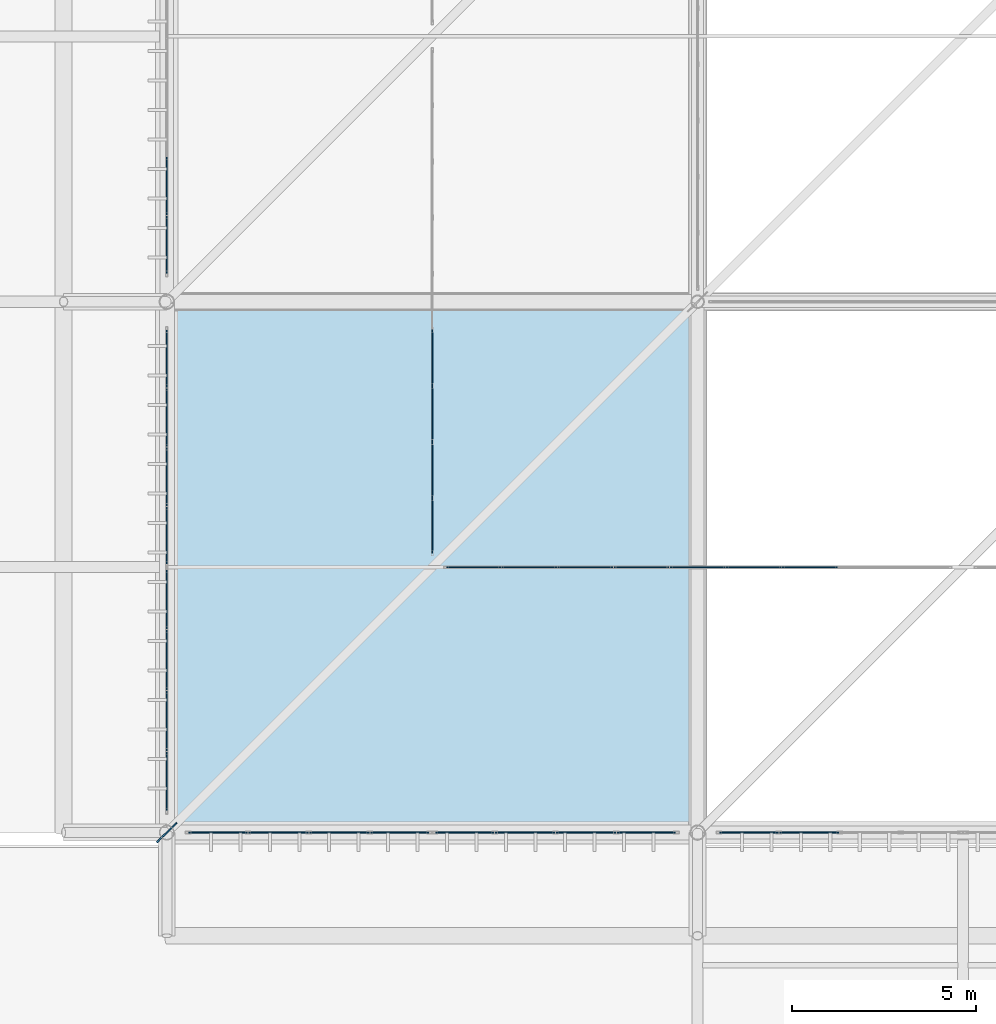
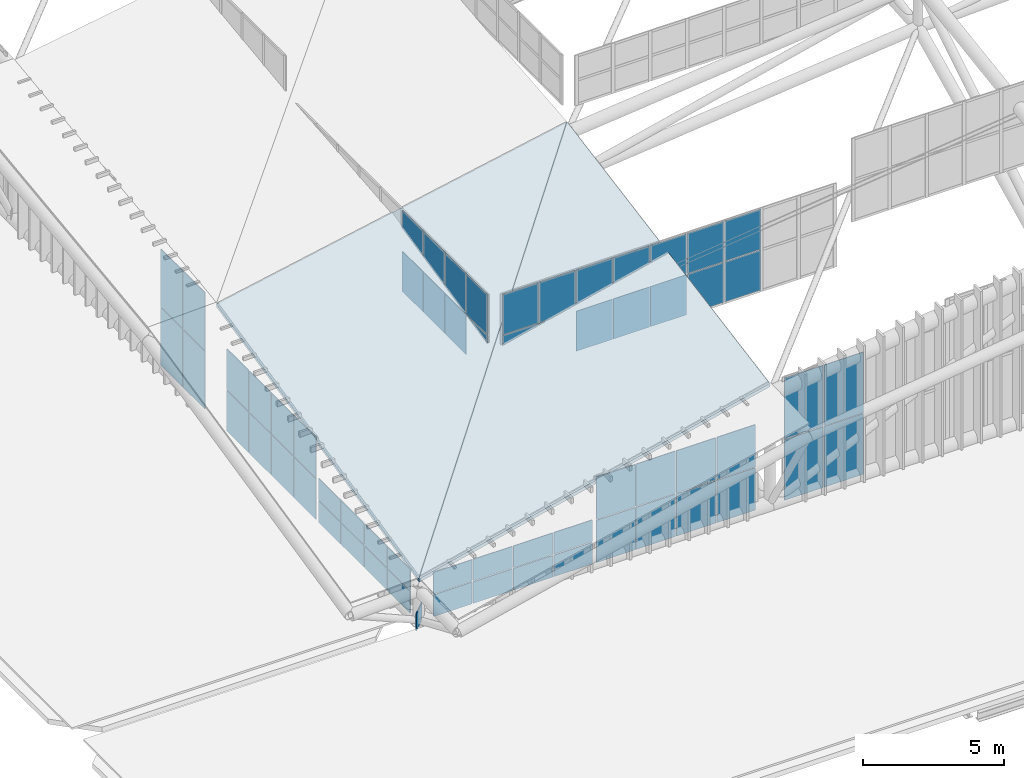
# One storey, part 357 of 397: 63 plates, 2 slabs, 8 elements without a shape of their own.
"""IFC4 building model written with IfcOpenShell, lengths in metres."""

import ifcopenshell
import ifcopenshell.guid

model = None  # the IFC model being written
_history = None  # IfcOwnerHistory: only IFC2X3 demands one
_inside = {}  # id of a spatial element -> (the spatial element, [elements in it])
_under = {}  # id of a project, library or spatial element -> (it, [spatial elements below it])
_declared = {}  # id of a project -> (the project, [libraries it declares])
_typed = {}  # id of a type object -> (the type object, [elements of that type])
_made_of = {}  # id of a material, layer set ... -> (it, [elements and type objects made of it])


def new_model(schema):
    """Start an empty IFC model of exactly this schema.

    Asked for "IFC4X3", IfcOpenShell would pick the latest addendum, in which some entities
    have other attributes; the version numbers below select the first issue.
    IFC2X3 requires an IfcOwnerHistory on every rooted entity: one is made here for all.
    """
    global model, _history
    if schema == "IFC4X3":
        model = ifcopenshell.file(schema_version=(4, 3, 0, 0))
    else:
        model = ifcopenshell.file(schema=schema)
    _inside.clear()
    _under.clear()
    _declared.clear()
    _typed.clear()
    _made_of.clear()
    _history = None
    if model.schema == "IFC2X3":
        org = make("IfcOrganization", Name="unknown")
        user = make(
            "IfcPersonAndOrganization",
            ThePerson=make("IfcPerson", FamilyName="unknown"),
            TheOrganization=org,
        )
        app = make(
            "IfcApplication",
            ApplicationDeveloper=org,
            Version="unknown",
            ApplicationFullName="unknown",
            ApplicationIdentifier="unknown",
        )
        _history = make(
            "IfcOwnerHistory",
            OwningUser=user,
            OwningApplication=app,
            ChangeAction="ADDED",
            CreationDate=0,
        )
    return model


def make(cls, **values):
    """One entity of the class cls with the attributes given. An attribute that is None is left unset."""
    return model.create_entity(
        cls, **{name: value for name, value in values.items() if value is not None}
    )


def rooted(cls, **values):
    """An entity with a GlobalId (a new one), such as an element, a storey or a relation."""
    return make(cls, GlobalId=ifcopenshell.guid.new(), OwnerHistory=_history, **values)


def si_unit(unit_type, name, prefix=None):
    """IfcSIUnit, for example si_unit("LENGTHUNIT", "METRE", prefix="MILLI")."""
    return make("IfcSIUnit", UnitType=unit_type, Prefix=prefix, Name=name)


def assignment(units):
    """IfcUnitAssignment: the units of a project."""
    return None if units is None else make("IfcUnitAssignment", Units=units)


def point(xyz):
    """IfcCartesianPoint."""
    return None if xyz is None else make("IfcCartesianPoint", Coordinates=xyz)


def direction(xyz):
    """IfcDirection."""
    return None if xyz is None else make("IfcDirection", DirectionRatios=xyz)


def frame(location, z_axis=None, x_axis=None):
    """IfcAxis2Placement3D, a coordinate frame: its origin and axes. An axis left out is left unset."""
    return make(
        "IfcAxis2Placement3D",
        Location=point(location),
        Axis=direction(z_axis),
        RefDirection=direction(x_axis),
    )


def frame_2d(location, x_axis=None):
    """IfcAxis2Placement2D, a coordinate frame in the plane: its origin and x axis."""
    return make(
        "IfcAxis2Placement2D", Location=point(location), RefDirection=direction(x_axis)
    )


def origin():
    """The frame at (0, 0, 0) with its axes left unset."""
    return frame((0.0, 0.0, 0.0))


def origin_2d():
    """The frame at (0, 0) in the plane with its x axis left unset."""
    return frame_2d((0.0, 0.0))


def place(relative_to, where):
    """IfcLocalPlacement: puts the frame where relative to a parent placement (None: the world)."""
    return make(
        "IfcLocalPlacement", PlacementRelTo=relative_to, RelativePlacement=where
    )


def context(
    kind, dimensions, precision=None, world=None, true_north=None, identifier=None
):
    """IfcGeometricRepresentationContext, for example the 3D "Model" context."""
    return make(
        "IfcGeometricRepresentationContext",
        ContextIdentifier=identifier,
        ContextType=kind,
        CoordinateSpaceDimension=dimensions,
        Precision=precision,
        WorldCoordinateSystem=world,
        TrueNorth=true_north,
    )


def subcontext(parent, identifier, kind, view, scale=None):
    """IfcGeometricRepresentationSubContext, for example "Body" below "Model"."""
    return make(
        "IfcGeometricRepresentationSubContext",
        ContextIdentifier=identifier,
        ContextType=kind,
        ParentContext=parent,
        TargetScale=scale,
        TargetView=view,
    )


def project(units=None, contexts=None):
    """IfcProject with its units and contexts."""
    return rooted(
        "IfcProject",
        Name="project",
        RepresentationContexts=contexts,
        UnitsInContext=assignment(units),
    )


def spatial(cls, under=None, at=None, **own):
    """A site, building, storey or space (cls), placed at a placement, below another one or the project."""
    s = rooted(cls, ObjectPlacement=at, **own)
    if under is not None:
        _under.setdefault(under.id(), (under, []))[1].append(s)
    return s


def polyline(points):
    """IfcPolyline through the points."""
    return make("IfcPolyline", Points=[point(p) for p in points])


def profile(cls, at=None, kind="AREA", **sizes):
    """A parametric profile (cls). Its sizes go by their IFC names, for example OverallWidth=200.0."""
    return make(cls, ProfileType=kind, Position=at, **sizes)


def rectangle(**sizes):
    """IfcRectangleProfileDef."""
    return profile("IfcRectangleProfileDef", **sizes)


def outline(outer, holes=None, kind="AREA"):
    """IfcArbitraryClosedProfileDef: a profile drawn as a closed curve; with holes, ...WithVoids."""
    if holes is None:
        return make("IfcArbitraryClosedProfileDef", ProfileType=kind, OuterCurve=outer)
    return make(
        "IfcArbitraryProfileDefWithVoids",
        ProfileType=kind,
        OuterCurve=outer,
        InnerCurves=holes,
    )


def extrude(swept, where, along, depth):
    """IfcExtrudedAreaSolid: the profile swept, set in the frame where, extruded along a direction by depth."""
    return make(
        "IfcExtrudedAreaSolid",
        SweptArea=swept,
        Position=where,
        ExtrudedDirection=direction(along),
        Depth=depth,
    )


def shape(context_of_items, identifier, shape_type, items):
    """IfcShapeRepresentation: the items that make up one representation, for example the "Body"."""
    return make(
        "IfcShapeRepresentation",
        ContextOfItems=context_of_items,
        RepresentationIdentifier=identifier,
        RepresentationType=shape_type,
        Items=items,
    )


def material(Name=None, Category=None):
    """IfcMaterial."""
    return make("IfcMaterial", Name=Name, Category=Category)


def layer(
    of_material, thickness, ventilated=None, Name=None, Category=None, Priority=None
):
    """IfcMaterialLayer: one layer of a wall or slab, of a material (None: an air gap)."""
    return make(
        "IfcMaterialLayer",
        Material=of_material,
        LayerThickness=thickness,
        IsVentilated=ventilated,
        Name=Name,
        Category=Category,
        Priority=Priority,
    )


def layer_set(layers, Name=None):
    """IfcMaterialLayerSet."""
    return make("IfcMaterialLayerSet", MaterialLayers=layers, LayerSetName=Name)


def made_of(thing, what):
    """Note that an element or type object is made of a material, layer set ...; save() writes the relation."""
    if what is not None:
        _made_of.setdefault(what.id(), (what, []))[1].append(thing)
    return thing


def type_object(cls, material=None, **own):
    """A type object (cls), such as IfcWallType, which elements share."""
    return made_of(rooted(cls, **own), material)


def element(
    cls,
    number,
    at=None,
    inside=None,
    cuts=None,
    type_object=None,
    material=None,
    context=None,
    identifier="Body",
    shape_type=None,
    held_by="IfcProductDefinitionShape",
    body=None,
    shapes=None,
    **own,
):
    """One element of the class cls, such as IfcWall. Its Tag is "e" and its number.

    at: its placement. inside: the storey or other place that contains it. cuts: it is an
    opening in that element (IfcRelVoidsElement). A single representation is given by context,
    identifier, shape_type and body (its items); several are given by shapes. held_by: the class
    of the entity that holds the representations. save() writes the other relations.
    """
    e = rooted(cls, Tag="e%d" % number, ObjectPlacement=at, **own)
    if body is not None:
        shapes = [shape(context, identifier, shape_type, body)]
    if shapes is not None:
        e.Representation = make(held_by, Representations=shapes)
    if inside is not None:
        _inside.setdefault(inside.id(), (inside, []))[1].append(e)
    if cuts is not None:
        rooted(
            "IfcRelVoidsElement", RelatingBuildingElement=cuts, RelatedOpeningElement=e
        )
    if type_object is not None:
        _typed.setdefault(type_object.id(), (type_object, []))[1].append(e)
    return made_of(e, material)


def aggregate(whole, parts):
    """IfcRelAggregates: a whole, such as a stair, and the parts it consists of."""
    return rooted("IfcRelAggregates", RelatingObject=whole, RelatedObjects=parts)


def save(model, path):
    """Write the relations noted so far, then the file.

    IfcRelAggregates (storeys below a building ...), IfcRelContainedInSpatialStructure (elements
    in a storey), IfcRelDefinesByType, IfcRelAssociatesMaterial and IfcRelDeclares: one each for
    every whole, place, type object, material and project.
    """
    for whole, parts in _under.values():
        aggregate(whole, parts)
    for where, things in _inside.values():
        rooted(
            "IfcRelContainedInSpatialStructure",
            RelatedElements=things,
            RelatingStructure=where,
        )
    for kind, things in _typed.values():
        rooted("IfcRelDefinesByType", RelatedObjects=things, RelatingType=kind)
    for what, things in _made_of.values():
        rooted("IfcRelAssociatesMaterial", RelatedObjects=things, RelatingMaterial=what)
    for by, libraries in _declared.values():
        rooted("IfcRelDeclares", RelatingContext=by, RelatedDefinitions=libraries)
    model.write(path)


model = new_model("IFC4")

# Units and contexts
model_context = context("Model", 3, precision=1e-05, world=origin(), true_north=direction((0.0, 1.0)))
body_context = subcontext(model_context, "Body", "Model", "MODEL_VIEW")
ifc_project = project(units=[si_unit("LENGTHUNIT", "METRE"), si_unit("AREAUNIT", "SQUARE_METRE"), si_unit("VOLUMEUNIT", "CUBIC_METRE"), si_unit("PLANEANGLEUNIT", "RADIAN"), si_unit("MASSUNIT", "GRAM", prefix="KILO")], contexts=[model_context])

# Site, building, storey
site_placement = place(None, origin())
site = spatial("IfcSite", under=ifc_project, at=site_placement, CompositionType="ELEMENT")
building_placement = place(site_placement, origin())
building = spatial("IfcBuilding", under=site, at=building_placement, Name="Qandorah Velis Arena", CompositionType="ELEMENT")
storey_placement = place(building_placement, frame((0.0, 0.0, 27.5)))
storey = spatial("IfcBuildingStorey", under=building, at=storey_placement, Name="RF", CompositionType="ELEMENT", Elevation=27.5)

# Curtain wall, plates
ifc_material_1 = material(Name="Solar-control low-E double glazing", Category="glass")
curtain_wall_type_1 = type_object("IfcCurtainWallType", Name="ARC-CW-SYS07", PredefinedType="USERDEFINED", material=ifc_material_1)
curtain_wall_1_placement = place(storey_placement, origin())
curtain_wall_1 = element("IfcCurtainWall", 1, at=curtain_wall_1_placement, inside=storey, type_object=curtain_wall_type_1, Name="Unitised curtain wall MON-1-1", ObjectType="UNITISED CURTAIN WALL", PredefinedType="USERDEFINED")
ifc_layer_1 = layer(ifc_material_1, 0.030029296875)
ifc_layer_set_1 = layer_set([ifc_layer_1], Name="Solar-control low-E double glazing")
plate_type_1 = type_object("IfcPlateType", Name="ARC-CWP-GLZ30", PredefinedType="CURTAIN_PANEL", material=ifc_layer_set_1)
plate_1_placement = place(storey_placement, frame((21.60009765625, 22.724853515625, 3.58642578125), z_axis=(0.0, 0.0, 1.0), x_axis=(0.0, 1.0, 0.0)))
plate_1 = element("IfcPlate", 2, at=plate_1_placement, type_object=plate_type_1, Name="CW07 panel 1.1", PredefinedType="CURTAIN_PANEL", context=body_context, shape_type="SweptSolid", body=[
    extrude(rectangle(XDim=1.459716796875, YDim=0.030029296875, at=origin_2d()), origin(), (0.0, 0.0, 1.0), 1.737548828125),
])
plate_2_placement = place(storey_placement, frame((21.60009765625, 22.724853515625, 5.35888671875), z_axis=(0.0, 0.0, 1.0), x_axis=(0.0, 1.0, 0.0)))
plate_2 = element("IfcPlate", 3, at=plate_2_placement, type_object=plate_type_1, Name="CW07 panel 1.2", PredefinedType="CURTAIN_PANEL", context=body_context, shape_type="SweptSolid", body=[
    extrude(rectangle(XDim=1.459716796875, YDim=0.030029296875, at=origin_2d()), origin(), (0.0, 0.0, 1.0), 1.737548828125),
])
plate_3_placement = place(storey_placement, frame((21.60009765625, 24.2333984375, 3.58642578125), z_axis=(0.0, 0.0, 1.0), x_axis=(0.0, 1.0, 0.0)))
plate_3 = element("IfcPlate", 4, at=plate_3_placement, type_object=plate_type_1, Name="CW07 panel 2.1", PredefinedType="CURTAIN_PANEL", context=body_context, shape_type="SweptSolid", body=[
    extrude(rectangle(XDim=1.4873046875, YDim=0.030029296875, at=origin_2d()), origin(), (0.0, 0.0, 1.0), 1.737548828125),
])
plate_4_placement = place(storey_placement, frame((21.60009765625, 24.2333984375, 5.35888671875), z_axis=(0.0, 0.0, 1.0), x_axis=(0.0, 1.0, 0.0)))
plate_4 = element("IfcPlate", 5, at=plate_4_placement, type_object=plate_type_1, Name="CW07 panel 2.2", PredefinedType="CURTAIN_PANEL", context=body_context, shape_type="SweptSolid", body=[
    extrude(rectangle(XDim=1.4873046875, YDim=0.030029296875, at=origin_2d()), origin(), (0.0, 0.0, 1.0), 1.737548828125),
])
plate_5_placement = place(storey_placement, frame((21.60009765625, 25.755615234375, 3.58642578125), z_axis=(0.0, 0.0, 1.0), x_axis=(0.0, 1.0, 0.0)))
plate_5 = element("IfcPlate", 6, at=plate_5_placement, type_object=plate_type_1, Name="CW07 panel 3.1", PredefinedType="CURTAIN_PANEL", context=body_context, shape_type="SweptSolid", body=[
    extrude(rectangle(XDim=1.4873046875, YDim=0.030029296875, at=origin_2d()), origin(), (0.0, 0.0, 1.0), 1.737548828125),
])
plate_6_placement = place(storey_placement, frame((21.60009765625, 25.755615234375, 5.35888671875), z_axis=(0.0, 0.0, 1.0), x_axis=(0.0, 1.0, 0.0)))
plate_6 = element("IfcPlate", 7, at=plate_6_placement, type_object=plate_type_1, Name="CW07 panel 3.2", PredefinedType="CURTAIN_PANEL", context=body_context, shape_type="SweptSolid", body=[
    extrude(rectangle(XDim=1.4873046875, YDim=0.030029296875, at=origin_2d()), origin(), (0.0, 0.0, 1.0), 1.737548828125),
])
plate_7_placement = place(storey_placement, frame((21.60009765625, 27.27783203125, 3.58642578125), z_axis=(0.0, 0.0, 1.0), x_axis=(0.0, 1.0, 0.0)))
plate_7 = element("IfcPlate", 8, at=plate_7_placement, type_object=plate_type_1, Name="CW07 panel 4.1", PredefinedType="CURTAIN_PANEL", context=body_context, shape_type="SweptSolid", body=[
    extrude(rectangle(XDim=1.4873046875, YDim=0.030029296875, at=origin_2d()), origin(), (0.0, 0.0, 1.0), 1.737548828125),
])
plate_8_placement = place(storey_placement, frame((21.60009765625, 27.27783203125, 5.35888671875), z_axis=(0.0, 0.0, 1.0), x_axis=(0.0, 1.0, 0.0)))
plate_8 = element("IfcPlate", 9, at=plate_8_placement, type_object=plate_type_1, Name="CW07 panel 4.2", PredefinedType="CURTAIN_PANEL", context=body_context, shape_type="SweptSolid", body=[
    extrude(rectangle(XDim=1.4873046875, YDim=0.030029296875, at=origin_2d()), origin(), (0.0, 0.0, 1.0), 1.737548828125),
])
aggregate(curtain_wall_1, [plate_1, plate_2, plate_3, plate_4, plate_5, plate_6, plate_7, plate_8])

curtain_wall_type_2 = type_object("IfcCurtainWallType", Name="ARC-CW-SYS19", PredefinedType="USERDEFINED", material=ifc_material_1)
curtain_wall_2_placement = place(storey_placement, origin())
curtain_wall_2 = element("IfcCurtainWall", 10, at=curtain_wall_2_placement, inside=storey, type_object=curtain_wall_type_2, Name="Unitised curtain wall MON-3-1", ObjectType="UNITISED CURTAIN WALL", PredefinedType="USERDEFINED")
plate_9_placement = place(storey_placement, frame((22.724853515625, 21.60009765625, 3.685546875), z_axis=(0.0, 0.0, 1.0), x_axis=(1.0, 0.0, 0.0)))
plate_9 = element("IfcPlate", 11, at=plate_9_placement, type_object=plate_type_1, Name="CW19 panel 1.1", PredefinedType="CURTAIN_PANEL", context=body_context, shape_type="SweptSolid", body=[
    extrude(rectangle(XDim=1.459716796875, YDim=0.030029296875, at=origin_2d()), origin(), (0.0, 0.0, 1.0), 1.737548828125),
])
plate_10_placement = place(storey_placement, frame((22.724853515625, 21.60009765625, 5.45849609375), z_axis=(0.0, 0.0, 1.0), x_axis=(1.0, 0.0, 0.0)))
plate_10 = element("IfcPlate", 12, at=plate_10_placement, type_object=plate_type_1, Name="CW19 panel 1.2", PredefinedType="CURTAIN_PANEL", context=body_context, shape_type="SweptSolid", body=[
    extrude(rectangle(XDim=1.459716796875, YDim=0.030029296875, at=origin_2d()), origin(), (0.0, 0.0, 1.0), 1.737548828125),
])
plate_11_placement = place(storey_placement, frame((24.2333984375, 21.60009765625, 3.685546875), z_axis=(0.0, 0.0, 1.0), x_axis=(1.0, 0.0, 0.0)))
plate_11 = element("IfcPlate", 13, at=plate_11_placement, type_object=plate_type_1, Name="CW19 panel 2.1", PredefinedType="CURTAIN_PANEL", context=body_context, shape_type="SweptSolid", body=[
    extrude(rectangle(XDim=1.4873046875, YDim=0.030029296875, at=origin_2d()), origin(), (0.0, 0.0, 1.0), 1.737548828125),
])
plate_12_placement = place(storey_placement, frame((24.2333984375, 21.60009765625, 5.45849609375), z_axis=(0.0, 0.0, 1.0), x_axis=(1.0, 0.0, 0.0)))
plate_12 = element("IfcPlate", 14, at=plate_12_placement, type_object=plate_type_1, Name="CW19 panel 2.2", PredefinedType="CURTAIN_PANEL", context=body_context, shape_type="SweptSolid", body=[
    extrude(rectangle(XDim=1.4873046875, YDim=0.030029296875, at=origin_2d()), origin(), (0.0, 0.0, 1.0), 1.737548828125),
])
plate_13_placement = place(storey_placement, frame((25.755615234375, 21.60009765625, 3.685546875), z_axis=(0.0, 0.0, 1.0), x_axis=(1.0, 0.0, 0.0)))
plate_13 = element("IfcPlate", 15, at=plate_13_placement, type_object=plate_type_1, Name="CW19 panel 3.1", PredefinedType="CURTAIN_PANEL", context=body_context, shape_type="SweptSolid", body=[
    extrude(rectangle(XDim=1.4873046875, YDim=0.030029296875, at=origin_2d()), origin(), (0.0, 0.0, 1.0), 1.737548828125),
])
plate_14_placement = place(storey_placement, frame((25.755615234375, 21.60009765625, 5.45849609375), z_axis=(0.0, 0.0, 1.0), x_axis=(1.0, 0.0, 0.0)))
plate_14 = element("IfcPlate", 16, at=plate_14_placement, type_object=plate_type_1, Name="CW19 panel 3.2", PredefinedType="CURTAIN_PANEL", context=body_context, shape_type="SweptSolid", body=[
    extrude(rectangle(XDim=1.4873046875, YDim=0.030029296875, at=origin_2d()), origin(), (0.0, 0.0, 1.0), 1.737548828125),
])
plate_15_placement = place(storey_placement, frame((27.27783203125, 21.60009765625, 3.685546875), z_axis=(0.0, 0.0, 1.0), x_axis=(1.0, 0.0, 0.0)))
plate_15 = element("IfcPlate", 17, at=plate_15_placement, type_object=plate_type_1, Name="CW19 panel 4.1", PredefinedType="CURTAIN_PANEL", context=body_context, shape_type="SweptSolid", body=[
    extrude(rectangle(XDim=1.4873046875, YDim=0.030029296875, at=origin_2d()), origin(), (0.0, 0.0, 1.0), 1.737548828125),
])
plate_16_placement = place(storey_placement, frame((27.27783203125, 21.60009765625, 5.45849609375), z_axis=(0.0, 0.0, 1.0), x_axis=(1.0, 0.0, 0.0)))
plate_16 = element("IfcPlate", 18, at=plate_16_placement, type_object=plate_type_1, Name="CW19 panel 4.2", PredefinedType="CURTAIN_PANEL", context=body_context, shape_type="SweptSolid", body=[
    extrude(rectangle(XDim=1.4873046875, YDim=0.030029296875, at=origin_2d()), origin(), (0.0, 0.0, 1.0), 1.737548828125),
])
plate_17_placement = place(storey_placement, frame((28.800048828125, 21.60009765625, 3.685546875), z_axis=(0.0, 0.0, 1.0), x_axis=(1.0, 0.0, 0.0)))
plate_17 = element("IfcPlate", 19, at=plate_17_placement, type_object=plate_type_1, Name="CW19 panel 5.1", PredefinedType="CURTAIN_PANEL", context=body_context, shape_type="SweptSolid", body=[
    extrude(rectangle(XDim=1.4873046875, YDim=0.030029296875, at=origin_2d()), origin(), (0.0, 0.0, 1.0), 1.737548828125),
])
plate_18_placement = place(storey_placement, frame((28.800048828125, 21.60009765625, 5.45849609375), z_axis=(0.0, 0.0, 1.0), x_axis=(1.0, 0.0, 0.0)))
plate_18 = element("IfcPlate", 20, at=plate_18_placement, type_object=plate_type_1, Name="CW19 panel 5.2", PredefinedType="CURTAIN_PANEL", context=body_context, shape_type="SweptSolid", body=[
    extrude(rectangle(XDim=1.4873046875, YDim=0.030029296875, at=origin_2d()), origin(), (0.0, 0.0, 1.0), 1.737548828125),
])
plate_19_placement = place(storey_placement, frame((30.322265625, 21.60009765625, 3.685546875), z_axis=(0.0, 0.0, 1.0), x_axis=(1.0, 0.0, 0.0)))
plate_19 = element("IfcPlate", 21, at=plate_19_placement, type_object=plate_type_1, Name="CW19 panel 6.1", PredefinedType="CURTAIN_PANEL", context=body_context, shape_type="SweptSolid", body=[
    extrude(rectangle(XDim=1.4873046875, YDim=0.030029296875, at=origin_2d()), origin(), (0.0, 0.0, 1.0), 1.737548828125),
])
plate_20_placement = place(storey_placement, frame((30.322265625, 21.60009765625, 5.45849609375), z_axis=(0.0, 0.0, 1.0), x_axis=(1.0, 0.0, 0.0)))
plate_20 = element("IfcPlate", 22, at=plate_20_placement, type_object=plate_type_1, Name="CW19 panel 6.2", PredefinedType="CURTAIN_PANEL", context=body_context, shape_type="SweptSolid", body=[
    extrude(rectangle(XDim=1.4873046875, YDim=0.030029296875, at=origin_2d()), origin(), (0.0, 0.0, 1.0), 1.737548828125),
])
plate_21_placement = place(storey_placement, frame((31.844482421875, 21.60009765625, 3.685546875), z_axis=(0.0, 0.0, 1.0), x_axis=(1.0, 0.0, 0.0)))
plate_21 = element("IfcPlate", 23, at=plate_21_placement, type_object=plate_type_1, Name="CW19 panel 7.1", PredefinedType="CURTAIN_PANEL", context=body_context, shape_type="SweptSolid", body=[
    extrude(rectangle(XDim=1.4873046875, YDim=0.030029296875, at=origin_2d()), origin(), (0.0, 0.0, 1.0), 1.737548828125),
])
plate_22_placement = place(storey_placement, frame((31.844482421875, 21.60009765625, 5.45849609375), z_axis=(0.0, 0.0, 1.0), x_axis=(1.0, 0.0, 0.0)))
plate_22 = element("IfcPlate", 24, at=plate_22_placement, type_object=plate_type_1, Name="CW19 panel 7.2", PredefinedType="CURTAIN_PANEL", context=body_context, shape_type="SweptSolid", body=[
    extrude(rectangle(XDim=1.4873046875, YDim=0.030029296875, at=origin_2d()), origin(), (0.0, 0.0, 1.0), 1.737548828125),
])
aggregate(curtain_wall_2, [plate_9, plate_10, plate_11, plate_12, plate_13, plate_14, plate_15, plate_16, plate_17, plate_18, plate_19, plate_20, plate_21, plate_22])

curtain_wall_type_3 = type_object("IfcCurtainWallType", Name="ARC-CW-SYS01", PredefinedType="USERDEFINED", material=ifc_material_1)
curtain_wall_3_placement = place(storey_placement, origin())
curtain_wall_3 = element("IfcCurtainWall", 25, at=curtain_wall_3_placement, inside=storey, type_object=curtain_wall_type_3, Name="Unitised curtain wall CROWN-1-01S1", ObjectType="UNITISED CURTAIN WALL", PredefinedType="USERDEFINED")
ifc_layer_2 = layer(ifc_material_1, 0.035888671875)
ifc_layer_set_2 = layer_set([ifc_layer_2], Name="Solar-control low-E double glazing")
plate_type_2 = type_object("IfcPlateType", Name="ARC-CWP-GLZ36", PredefinedType="CURTAIN_PANEL", material=ifc_layer_set_2)
plate_23_placement = place(storey_placement, frame((14.39990234375, 15.791259765625, 0.0498046875), z_axis=(0.0, 0.0, 1.0), x_axis=(0.0, 1.0, 0.0)))
plate_23 = element("IfcPlate", 26, at=plate_23_placement, type_object=plate_type_2, Name="CW01 panel 1.1", PredefinedType="CURTAIN_PANEL", context=body_context, shape_type="SweptSolid", body=[
    extrude(rectangle(XDim=1.58251953125, YDim=0.035888671875, at=origin_2d()), origin(), (0.0, 0.0, 1.0), 0.931396484375),
])
plate_24_placement = place(storey_placement, frame((14.39990234375, 15.791259765625, 1.021484375), z_axis=(0.0, 0.0, 1.0), x_axis=(0.0, 1.0, 0.0)))
plate_24 = element("IfcPlate", 27, at=plate_24_placement, type_object=plate_type_2, Name="CW01 panel 1.2", PredefinedType="CURTAIN_PANEL", context=body_context, shape_type="SweptSolid", body=[
    extrude(rectangle(XDim=1.58251953125, YDim=0.035888671875, at=origin_2d()), origin(), (0.0, 0.0, 1.0), 0.931396484375),
])
plate_25_placement = place(storey_placement, frame((14.39990234375, 17.4287109375, 0.0498046875), z_axis=(0.0, 0.0, 1.0), x_axis=(0.0, 1.0, 0.0)))
plate_25 = element("IfcPlate", 28, at=plate_25_placement, type_object=plate_type_2, Name="CW01 panel 2.1", PredefinedType="CURTAIN_PANEL", context=body_context, shape_type="SweptSolid", body=[
    extrude(rectangle(XDim=1.612548828125, YDim=0.035888671875, at=origin_2d()), origin(), (0.0, 0.0, 1.0), 0.931396484375),
])
plate_26_placement = place(storey_placement, frame((14.39990234375, 17.4287109375, 1.021484375), z_axis=(0.0, 0.0, 1.0), x_axis=(0.0, 1.0, 0.0)))
plate_26 = element("IfcPlate", 29, at=plate_26_placement, type_object=plate_type_2, Name="CW01 panel 2.2", PredefinedType="CURTAIN_PANEL", context=body_context, shape_type="SweptSolid", body=[
    extrude(rectangle(XDim=1.612548828125, YDim=0.035888671875, at=origin_2d()), origin(), (0.0, 0.0, 1.0), 0.931396484375),
])
plate_27_placement = place(storey_placement, frame((14.39990234375, 19.081298828125, 0.0498046875), z_axis=(0.0, 0.0, 1.0), x_axis=(0.0, 1.0, 0.0)))
plate_27 = element("IfcPlate", 30, at=plate_27_placement, type_object=plate_type_2, Name="CW01 panel 3.1", PredefinedType="CURTAIN_PANEL", context=body_context, shape_type="SweptSolid", body=[
    extrude(rectangle(XDim=1.612548828125, YDim=0.035888671875, at=origin_2d()), origin(), (0.0, 0.0, 1.0), 0.931396484375),
])
plate_28_placement = place(storey_placement, frame((14.39990234375, 19.081298828125, 1.021484375), z_axis=(0.0, 0.0, 1.0), x_axis=(0.0, 1.0, 0.0)))
plate_28 = element("IfcPlate", 31, at=plate_28_placement, type_object=plate_type_2, Name="CW01 panel 3.2", PredefinedType="CURTAIN_PANEL", context=body_context, shape_type="SweptSolid", body=[
    extrude(rectangle(XDim=1.612548828125, YDim=0.035888671875, at=origin_2d()), origin(), (0.0, 0.0, 1.0), 0.931396484375),
])
plate_29_placement = place(storey_placement, frame((14.39990234375, 20.71875, 0.0498046875), z_axis=(0.0, 0.0, 1.0), x_axis=(0.0, 1.0, 0.0)))
plate_29 = element("IfcPlate", 32, at=plate_29_placement, type_object=plate_type_2, Name="CW01 panel 4.1", PredefinedType="CURTAIN_PANEL", context=body_context, shape_type="SweptSolid", body=[
    extrude(rectangle(XDim=1.58251953125, YDim=0.035888671875, at=origin_2d()), origin(), (0.0, 0.0, 1.0), 0.931396484375),
])
plate_30_placement = place(storey_placement, frame((14.39990234375, 20.71875, 1.021484375), z_axis=(0.0, 0.0, 1.0), x_axis=(0.0, 1.0, 0.0)))
plate_30 = element("IfcPlate", 33, at=plate_30_placement, type_object=plate_type_2, Name="CW01 panel 4.2", PredefinedType="CURTAIN_PANEL", context=body_context, shape_type="SweptSolid", body=[
    extrude(rectangle(XDim=1.58251953125, YDim=0.035888671875, at=origin_2d()), origin(), (0.0, 0.0, 1.0), 0.931396484375),
])
aggregate(curtain_wall_3, [plate_23, plate_24, plate_25, plate_26, plate_27, plate_28, plate_29, plate_30])

curtain_wall_type_4 = type_object("IfcCurtainWallType", Name="ARC-CW-SYS02", PredefinedType="USERDEFINED", material=ifc_material_1)
curtain_wall_4_placement = place(storey_placement, origin())
curtain_wall_4 = element("IfcCurtainWall", 34, at=curtain_wall_4_placement, inside=storey, type_object=curtain_wall_type_4, Name="Unitised curtain wall CROWN-1-01S2", ObjectType="UNITISED CURTAIN WALL", PredefinedType="USERDEFINED")
plate_31_placement = place(storey_placement, frame((14.39990234375, 22.45947265625, 0.050048828125), z_axis=(0.0, 0.0, 1.0), x_axis=(0.0, 1.0, 0.0)))
plate_31 = element("IfcPlate", 35, at=plate_31_placement, type_object=plate_type_2, Name="CW02 panel 1.1", PredefinedType="CURTAIN_PANEL", context=body_context, shape_type="SweptSolid", body=[
    extrude(rectangle(XDim=1.538818359375, YDim=0.035888671875, at=origin_2d()), origin(), (0.0, 0.0, 1.0), 1.76025390625),
])
plate_32_placement = place(storey_placement, frame((14.39990234375, 22.45947265625, 1.850341796875), z_axis=(0.0, 0.0, 1.0), x_axis=(0.0, 1.0, 0.0)))
plate_32 = element("IfcPlate", 36, at=plate_32_placement, type_object=plate_type_2, Name="CW02 panel 1.2", PredefinedType="CURTAIN_PANEL", context=body_context, shape_type="SweptSolid", body=[
    extrude(rectangle(XDim=1.538818359375, YDim=0.035888671875, at=origin_2d()), origin(), (0.0, 0.0, 1.0), 1.76025390625),
])
plate_33_placement = place(storey_placement, frame((14.39990234375, 24.05322265625, 0.050048828125), z_axis=(0.0, 0.0, 1.0), x_axis=(0.0, 1.0, 0.0)))
plate_33 = element("IfcPlate", 37, at=plate_33_placement, type_object=plate_type_2, Name="CW02 panel 2.1", PredefinedType="CURTAIN_PANEL", context=body_context, shape_type="SweptSolid", body=[
    extrude(rectangle(XDim=1.568603515625, YDim=0.035888671875, at=origin_2d()), origin(), (0.0, 0.0, 1.0), 1.76025390625),
])
plate_34_placement = place(storey_placement, frame((14.39990234375, 24.05322265625, 1.850341796875), z_axis=(0.0, 0.0, 1.0), x_axis=(0.0, 1.0, 0.0)))
plate_34 = element("IfcPlate", 38, at=plate_34_placement, type_object=plate_type_2, Name="CW02 panel 2.2", PredefinedType="CURTAIN_PANEL", context=body_context, shape_type="SweptSolid", body=[
    extrude(rectangle(XDim=1.568603515625, YDim=0.035888671875, at=origin_2d()), origin(), (0.0, 0.0, 1.0), 1.76025390625),
])
plate_35_placement = place(storey_placement, frame((14.39990234375, 25.661865234375, 0.050048828125), z_axis=(0.0, 0.0, 1.0), x_axis=(0.0, 1.0, 0.0)))
plate_35 = element("IfcPlate", 39, at=plate_35_placement, type_object=plate_type_2, Name="CW02 panel 3.1", PredefinedType="CURTAIN_PANEL", context=body_context, shape_type="SweptSolid", body=[
    extrude(rectangle(XDim=1.568603515625, YDim=0.035888671875, at=origin_2d()), origin(), (0.0, 0.0, 1.0), 1.76025390625),
])
plate_36_placement = place(storey_placement, frame((14.39990234375, 25.661865234375, 1.850341796875), z_axis=(0.0, 0.0, 1.0), x_axis=(0.0, 1.0, 0.0)))
plate_36 = element("IfcPlate", 40, at=plate_36_placement, type_object=plate_type_2, Name="CW02 panel 3.2", PredefinedType="CURTAIN_PANEL", context=body_context, shape_type="SweptSolid", body=[
    extrude(rectangle(XDim=1.568603515625, YDim=0.035888671875, at=origin_2d()), origin(), (0.0, 0.0, 1.0), 1.76025390625),
])
plate_37_placement = place(storey_placement, frame((14.39990234375, 27.255615234375, 0.050048828125), z_axis=(0.0, 0.0, 1.0), x_axis=(0.0, 1.0, 0.0)))
plate_37 = element("IfcPlate", 41, at=plate_37_placement, type_object=plate_type_2, Name="CW02 panel 4.1", PredefinedType="CURTAIN_PANEL", context=body_context, shape_type="SweptSolid", body=[
    extrude(rectangle(XDim=1.538818359375, YDim=0.035888671875, at=origin_2d()), origin(), (0.0, 0.0, 1.0), 1.76025390625),
])
plate_38_placement = place(storey_placement, frame((14.39990234375, 27.255615234375, 1.850341796875), z_axis=(0.0, 0.0, 1.0), x_axis=(0.0, 1.0, 0.0)))
plate_38 = element("IfcPlate", 42, at=plate_38_placement, type_object=plate_type_2, Name="CW02 panel 4.2", PredefinedType="CURTAIN_PANEL", context=body_context, shape_type="SweptSolid", body=[
    extrude(rectangle(XDim=1.538818359375, YDim=0.035888671875, at=origin_2d()), origin(), (0.0, 0.0, 1.0), 1.76025390625),
])
aggregate(curtain_wall_4, [plate_31, plate_32, plate_33, plate_34, plate_35, plate_36, plate_37, plate_38])

curtain_wall_5_placement = place(storey_placement, origin())
curtain_wall_5 = element("IfcCurtainWall", 43, at=curtain_wall_5_placement, inside=storey, type_object=curtain_wall_type_4, Name="Unitised curtain wall CROWN-1-02S1", ObjectType="UNITISED CURTAIN WALL", PredefinedType="USERDEFINED")
plate_39_placement = place(storey_placement, frame((14.39990234375, 30.344482421875, 0.0498046875), z_axis=(0.0, 0.0, 1.0), x_axis=(0.0, 1.0, 0.0)))
plate_39 = element("IfcPlate", 44, at=plate_39_placement, type_object=plate_type_2, Name="CW02 panel 1.1", PredefinedType="CURTAIN_PANEL", context=body_context, shape_type="SweptSolid", body=[
    extrude(rectangle(XDim=1.538818359375, YDim=0.035888671875, at=origin_2d()), origin(), (0.0, 0.0, 1.0), 2.505615234375),
])
plate_40_placement = place(storey_placement, frame((14.39990234375, 30.344482421875, 2.595703125), z_axis=(0.0, 0.0, 1.0), x_axis=(0.0, 1.0, 0.0)))
plate_40 = element("IfcPlate", 45, at=plate_40_placement, type_object=plate_type_2, Name="CW02 panel 1.2", PredefinedType="CURTAIN_PANEL", context=body_context, shape_type="SweptSolid", body=[
    extrude(rectangle(XDim=1.538818359375, YDim=0.035888671875, at=origin_2d()), origin(), (0.0, 0.0, 1.0), 2.505615234375),
])
plate_41_placement = place(storey_placement, frame((14.39990234375, 31.938232421875, 0.0498046875), z_axis=(0.0, 0.0, 1.0), x_axis=(0.0, 1.0, 0.0)))
plate_41 = element("IfcPlate", 46, at=plate_41_placement, type_object=plate_type_2, Name="CW02 panel 2.1", PredefinedType="CURTAIN_PANEL", context=body_context, shape_type="SweptSolid", body=[
    extrude(rectangle(XDim=1.56884765625, YDim=0.035888671875, at=origin_2d()), origin(), (0.0, 0.0, 1.0), 2.505615234375),
])
plate_42_placement = place(storey_placement, frame((14.39990234375, 31.938232421875, 2.595703125), z_axis=(0.0, 0.0, 1.0), x_axis=(0.0, 1.0, 0.0)))
plate_42 = element("IfcPlate", 47, at=plate_42_placement, type_object=plate_type_2, Name="CW02 panel 2.2", PredefinedType="CURTAIN_PANEL", context=body_context, shape_type="SweptSolid", body=[
    extrude(rectangle(XDim=1.56884765625, YDim=0.035888671875, at=origin_2d()), origin(), (0.0, 0.0, 1.0), 2.505615234375),
])
aggregate(curtain_wall_5, [plate_39, plate_40, plate_41, plate_42])

curtain_wall_type_5 = type_object("IfcCurtainWallType", Name="ARC-CW-SYS17", PredefinedType="USERDEFINED", material=ifc_material_1)
curtain_wall_6_placement = place(storey_placement, origin())
curtain_wall_6 = element("IfcCurtainWall", 48, at=curtain_wall_6_placement, inside=storey, type_object=curtain_wall_type_5, Name="Unitised curtain wall CROWN-3-01S1", ObjectType="UNITISED CURTAIN WALL", PredefinedType="USERDEFINED")
plate_43_placement = place(storey_placement, frame((15.791259765625, 14.39990234375, 0.0498046875), z_axis=(0.0, 0.0, 1.0), x_axis=(1.0, 0.0, 0.0)))
plate_43 = element("IfcPlate", 49, at=plate_43_placement, type_object=plate_type_2, Name="CW17 panel 1.1", PredefinedType="CURTAIN_PANEL", context=body_context, shape_type="SweptSolid", body=[
    extrude(rectangle(XDim=1.58251953125, YDim=0.035888671875, at=origin_2d()), origin(), (0.0, 0.0, 1.0), 0.937744140625),
])
plate_44_placement = place(storey_placement, frame((15.791259765625, 14.39990234375, 1.02783203125), z_axis=(0.0, 0.0, 1.0), x_axis=(1.0, 0.0, 0.0)))
plate_44 = element("IfcPlate", 50, at=plate_44_placement, type_object=plate_type_2, Name="CW17 panel 1.2", PredefinedType="CURTAIN_PANEL", context=body_context, shape_type="SweptSolid", body=[
    extrude(rectangle(XDim=1.58251953125, YDim=0.035888671875, at=origin_2d()), origin(), (0.0, 0.0, 1.0), 0.937744140625),
])
plate_45_placement = place(storey_placement, frame((17.4287109375, 14.39990234375, 0.0498046875), z_axis=(0.0, 0.0, 1.0), x_axis=(1.0, 0.0, 0.0)))
plate_45 = element("IfcPlate", 51, at=plate_45_placement, type_object=plate_type_2, Name="CW17 panel 2.1", PredefinedType="CURTAIN_PANEL", context=body_context, shape_type="SweptSolid", body=[
    extrude(rectangle(XDim=1.612548828125, YDim=0.035888671875, at=origin_2d()), origin(), (0.0, 0.0, 1.0), 0.937744140625),
])
plate_46_placement = place(storey_placement, frame((17.4287109375, 14.39990234375, 1.02783203125), z_axis=(0.0, 0.0, 1.0), x_axis=(1.0, 0.0, 0.0)))
plate_46 = element("IfcPlate", 52, at=plate_46_placement, type_object=plate_type_2, Name="CW17 panel 2.2", PredefinedType="CURTAIN_PANEL", context=body_context, shape_type="SweptSolid", body=[
    extrude(rectangle(XDim=1.612548828125, YDim=0.035888671875, at=origin_2d()), origin(), (0.0, 0.0, 1.0), 0.937744140625),
])
plate_47_placement = place(storey_placement, frame((19.081298828125, 14.39990234375, 0.0498046875), z_axis=(0.0, 0.0, 1.0), x_axis=(1.0, 0.0, 0.0)))
plate_47 = element("IfcPlate", 53, at=plate_47_placement, type_object=plate_type_2, Name="CW17 panel 3.1", PredefinedType="CURTAIN_PANEL", context=body_context, shape_type="SweptSolid", body=[
    extrude(rectangle(XDim=1.612548828125, YDim=0.035888671875, at=origin_2d()), origin(), (0.0, 0.0, 1.0), 0.937744140625),
])
plate_48_placement = place(storey_placement, frame((19.081298828125, 14.39990234375, 1.02783203125), z_axis=(0.0, 0.0, 1.0), x_axis=(1.0, 0.0, 0.0)))
plate_48 = element("IfcPlate", 54, at=plate_48_placement, type_object=plate_type_2, Name="CW17 panel 3.2", PredefinedType="CURTAIN_PANEL", context=body_context, shape_type="SweptSolid", body=[
    extrude(rectangle(XDim=1.612548828125, YDim=0.035888671875, at=origin_2d()), origin(), (0.0, 0.0, 1.0), 0.937744140625),
])
plate_49_placement = place(storey_placement, frame((20.71875, 14.39990234375, 0.0498046875), z_axis=(0.0, 0.0, 1.0), x_axis=(1.0, 0.0, 0.0)))
plate_49 = element("IfcPlate", 55, at=plate_49_placement, type_object=plate_type_2, Name="CW17 panel 4.1", PredefinedType="CURTAIN_PANEL", context=body_context, shape_type="SweptSolid", body=[
    extrude(rectangle(XDim=1.58251953125, YDim=0.035888671875, at=origin_2d()), origin(), (0.0, 0.0, 1.0), 0.937744140625),
])
plate_50_placement = place(storey_placement, frame((20.71875, 14.39990234375, 1.02783203125), z_axis=(0.0, 0.0, 1.0), x_axis=(1.0, 0.0, 0.0)))
plate_50 = element("IfcPlate", 56, at=plate_50_placement, type_object=plate_type_2, Name="CW17 panel 4.2", PredefinedType="CURTAIN_PANEL", context=body_context, shape_type="SweptSolid", body=[
    extrude(rectangle(XDim=1.58251953125, YDim=0.035888671875, at=origin_2d()), origin(), (0.0, 0.0, 1.0), 0.937744140625),
])
aggregate(curtain_wall_6, [plate_43, plate_44, plate_45, plate_46, plate_47, plate_48, plate_49, plate_50])

curtain_wall_type_6 = type_object("IfcCurtainWallType", Name="ARC-CW-SYS18", PredefinedType="USERDEFINED", material=ifc_material_1)
curtain_wall_7_placement = place(storey_placement, origin())
curtain_wall_7 = element("IfcCurtainWall", 57, at=curtain_wall_7_placement, inside=storey, type_object=curtain_wall_type_6, Name="Unitised curtain wall CROWN-3-01S2", ObjectType="UNITISED CURTAIN WALL", PredefinedType="USERDEFINED")
plate_51_placement = place(storey_placement, frame((22.481201171875, 14.39990234375, 0.0498046875), z_axis=(0.0, 0.0, 1.0), x_axis=(1.0, 0.0, 0.0)))
plate_51 = element("IfcPlate", 58, at=plate_51_placement, type_object=plate_type_2, Name="CW18 panel 1.1", PredefinedType="CURTAIN_PANEL", context=body_context, shape_type="SweptSolid", body=[
    extrude(rectangle(XDim=1.58251953125, YDim=0.035888671875, at=origin_2d()), origin(), (0.0, 0.0, 1.0), 1.832275390625),
])
plate_52_placement = place(storey_placement, frame((22.481201171875, 14.39990234375, 1.92236328125), z_axis=(0.0, 0.0, 1.0), x_axis=(1.0, 0.0, 0.0)))
plate_52 = element("IfcPlate", 59, at=plate_52_placement, type_object=plate_type_2, Name="CW18 panel 1.2", PredefinedType="CURTAIN_PANEL", context=body_context, shape_type="SweptSolid", body=[
    extrude(rectangle(XDim=1.58251953125, YDim=0.035888671875, at=origin_2d()), origin(), (0.0, 0.0, 1.0), 1.832275390625),
])
plate_53_placement = place(storey_placement, frame((24.11865234375, 14.39990234375, 0.0498046875), z_axis=(0.0, 0.0, 1.0), x_axis=(1.0, 0.0, 0.0)))
plate_53 = element("IfcPlate", 60, at=plate_53_placement, type_object=plate_type_2, Name="CW18 panel 2.1", PredefinedType="CURTAIN_PANEL", context=body_context, shape_type="SweptSolid", body=[
    extrude(rectangle(XDim=1.612548828125, YDim=0.035888671875, at=origin_2d()), origin(), (0.0, 0.0, 1.0), 1.832275390625),
])
plate_54_placement = place(storey_placement, frame((24.11865234375, 14.39990234375, 1.92236328125), z_axis=(0.0, 0.0, 1.0), x_axis=(1.0, 0.0, 0.0)))
plate_54 = element("IfcPlate", 61, at=plate_54_placement, type_object=plate_type_2, Name="CW18 panel 2.2", PredefinedType="CURTAIN_PANEL", context=body_context, shape_type="SweptSolid", body=[
    extrude(rectangle(XDim=1.612548828125, YDim=0.035888671875, at=origin_2d()), origin(), (0.0, 0.0, 1.0), 1.832275390625),
])
plate_55_placement = place(storey_placement, frame((25.771240234375, 14.39990234375, 0.0498046875), z_axis=(0.0, 0.0, 1.0), x_axis=(1.0, 0.0, 0.0)))
plate_55 = element("IfcPlate", 62, at=plate_55_placement, type_object=plate_type_2, Name="CW18 panel 3.1", PredefinedType="CURTAIN_PANEL", context=body_context, shape_type="SweptSolid", body=[
    extrude(rectangle(XDim=1.612548828125, YDim=0.035888671875, at=origin_2d()), origin(), (0.0, 0.0, 1.0), 1.832275390625),
])
plate_56_placement = place(storey_placement, frame((25.771240234375, 14.39990234375, 1.92236328125), z_axis=(0.0, 0.0, 1.0), x_axis=(1.0, 0.0, 0.0)))
plate_56 = element("IfcPlate", 63, at=plate_56_placement, type_object=plate_type_2, Name="CW18 panel 3.2", PredefinedType="CURTAIN_PANEL", context=body_context, shape_type="SweptSolid", body=[
    extrude(rectangle(XDim=1.612548828125, YDim=0.035888671875, at=origin_2d()), origin(), (0.0, 0.0, 1.0), 1.832275390625),
])
plate_57_placement = place(storey_placement, frame((27.40869140625, 14.39990234375, 0.0498046875), z_axis=(0.0, 0.0, 1.0), x_axis=(1.0, 0.0, 0.0)))
plate_57 = element("IfcPlate", 64, at=plate_57_placement, type_object=plate_type_2, Name="CW18 panel 4.1", PredefinedType="CURTAIN_PANEL", context=body_context, shape_type="SweptSolid", body=[
    extrude(rectangle(XDim=1.58251953125, YDim=0.035888671875, at=origin_2d()), origin(), (0.0, 0.0, 1.0), 1.832275390625),
])
plate_58_placement = place(storey_placement, frame((27.40869140625, 14.39990234375, 1.92236328125), z_axis=(0.0, 0.0, 1.0), x_axis=(1.0, 0.0, 0.0)))
plate_58 = element("IfcPlate", 65, at=plate_58_placement, type_object=plate_type_2, Name="CW18 panel 4.2", PredefinedType="CURTAIN_PANEL", context=body_context, shape_type="SweptSolid", body=[
    extrude(rectangle(XDim=1.58251953125, YDim=0.035888671875, at=origin_2d()), origin(), (0.0, 0.0, 1.0), 1.832275390625),
])
aggregate(curtain_wall_7, [plate_51, plate_52, plate_53, plate_54, plate_55, plate_56, plate_57, plate_58])

curtain_wall_8_placement = place(storey_placement, origin())
curtain_wall_8 = element("IfcCurtainWall", 66, at=curtain_wall_8_placement, inside=storey, type_object=curtain_wall_type_6, Name="Unitised curtain wall CROWN-3-02S1", ObjectType="UNITISED CURTAIN WALL", PredefinedType="USERDEFINED")
plate_59_placement = place(storey_placement, frame((30.191162109375, 14.39990234375, 0.0498046875), z_axis=(0.0, 0.0, 1.0), x_axis=(1.0, 0.0, 0.0)))
plate_59 = element("IfcPlate", 67, at=plate_59_placement, type_object=plate_type_2, Name="CW18 panel 1.1", PredefinedType="CURTAIN_PANEL", context=body_context, shape_type="SweptSolid", body=[
    extrude(rectangle(XDim=1.58251953125, YDim=0.035888671875, at=origin_2d()), origin(), (0.0, 0.0, 1.0), 2.630615234375),
])
plate_60_placement = place(storey_placement, frame((30.191162109375, 14.39990234375, 2.720458984375), z_axis=(0.0, 0.0, 1.0), x_axis=(1.0, 0.0, 0.0)))
plate_60 = element("IfcPlate", 68, at=plate_60_placement, type_object=plate_type_2, Name="CW18 panel 1.2", PredefinedType="CURTAIN_PANEL", context=body_context, shape_type="SweptSolid", body=[
    extrude(rectangle(XDim=1.58251953125, YDim=0.035888671875, at=origin_2d()), origin(), (0.0, 0.0, 1.0), 2.63037109375),
])
plate_61_placement = place(storey_placement, frame((31.828857421875, 14.39990234375, 0.0498046875), z_axis=(0.0, 0.0, 1.0), x_axis=(1.0, 0.0, 0.0)))
plate_61 = element("IfcPlate", 69, at=plate_61_placement, type_object=plate_type_2, Name="CW18 panel 2.1", PredefinedType="CURTAIN_PANEL", context=body_context, shape_type="SweptSolid", body=[
    extrude(rectangle(XDim=1.612548828125, YDim=0.035888671875, at=origin_2d()), origin(), (0.0, 0.0, 1.0), 2.630615234375),
])
plate_62_placement = place(storey_placement, frame((31.828857421875, 14.39990234375, 2.720458984375), z_axis=(0.0, 0.0, 1.0), x_axis=(1.0, 0.0, 0.0)))
plate_62 = element("IfcPlate", 70, at=plate_62_placement, type_object=plate_type_2, Name="CW18 panel 2.2", PredefinedType="CURTAIN_PANEL", context=body_context, shape_type="SweptSolid", body=[
    extrude(rectangle(XDim=1.612548828125, YDim=0.035888671875, at=origin_2d()), origin(), (0.0, 0.0, 1.0), 2.63037109375),
])
aggregate(curtain_wall_8, [plate_59, plate_60, plate_61, plate_62])

# Plate
ifc_material_2 = material(Name="Steel S355", Category="steel")
ifc_layer_3 = layer(ifc_material_2, 0.0400390625)
ifc_layer_set_3 = layer_set([ifc_layer_3], Name="Steel S355")
plate_type_3 = type_object("IfcPlateType", Name="STR-PLT-GUS40", PredefinedType="SHEET", material=ifc_layer_set_3)
plate_63_placement = place(storey_placement, frame((14.39990234375, 14.39990234375, -0.125), z_axis=(0.0, 0.0, 1.0), x_axis=(0.707106781187, 0.707106781187, 0.0)))
element("IfcPlate", 71, at=plate_63_placement, inside=storey, type_object=plate_type_3, Name="Space frame gusset plate 0.0", PredefinedType="SHEET", context=body_context, shape_type="SweptSolid", body=[
    extrude(rectangle(XDim=0.75, YDim=0.0400390625, at=origin_2d()), origin(), (0.0, 0.0, 1.0), 0.75),
])

# Slabs
ifc_material_3 = material(Name="Concrete C40/50", Category="concrete")
ifc_layer_4 = layer(ifc_material_3, 0.179931640625)
ifc_layer_set_4 = layer_set([ifc_layer_4], Name="Concrete C40/50")
slab_type = type_object("IfcSlabType", Name="STR-SLB-RF180", PredefinedType="ROOF", material=ifc_layer_set_4)
slab_1_placement = place(storey_placement, frame((14.39990234375, 14.39990234375, 1.875), z_axis=(-0.229561206951, -0.173806685085, 0.957649668972), x_axis=(0.97245057016, 0.0, 0.233109177415)))
element("IfcSlab", 72, at=slab_1_placement, inside=storey, type_object=slab_type, Name="Arena space-frame roof deck panel 0.0A", PredefinedType="ROOF", context=body_context, shape_type="SweptSolid", body=[
    extrude(outline(polyline([(0.0, 0.0), (14.808101230280736, -1.1102230246251565e-16), (15.417337984243641, 14.62270714732809), (0.0, 0.0)])), origin(), (0.0, 0.0, -1.0), 0.179931640625),
])
slab_2_placement = place(storey_placement, frame((14.39990234375, 14.39990234375, 1.875), z_axis=(-0.190132129871, -0.21349451582, 0.958263984978), x_axis=(0.677687438888, 0.677687438888, 0.285446090089)))
element("IfcSlab", 73, at=slab_2_placement, inside=storey, type_object=slab_type, Name="Arena space-frame roof deck panel 0.0B", PredefinedType="ROOF", context=body_context, shape_type="SweptSolid", body=[
    extrude(outline(polyline([(0.0, 0.0), (21.248949970220217, -7.355227538141662e-16), (10.674581366646759, 10.183830910469098), (0.0, 0.0)])), origin(), (0.0, 0.0, -1.0), 0.179931640625),
])

save(model, "model.ifc")
